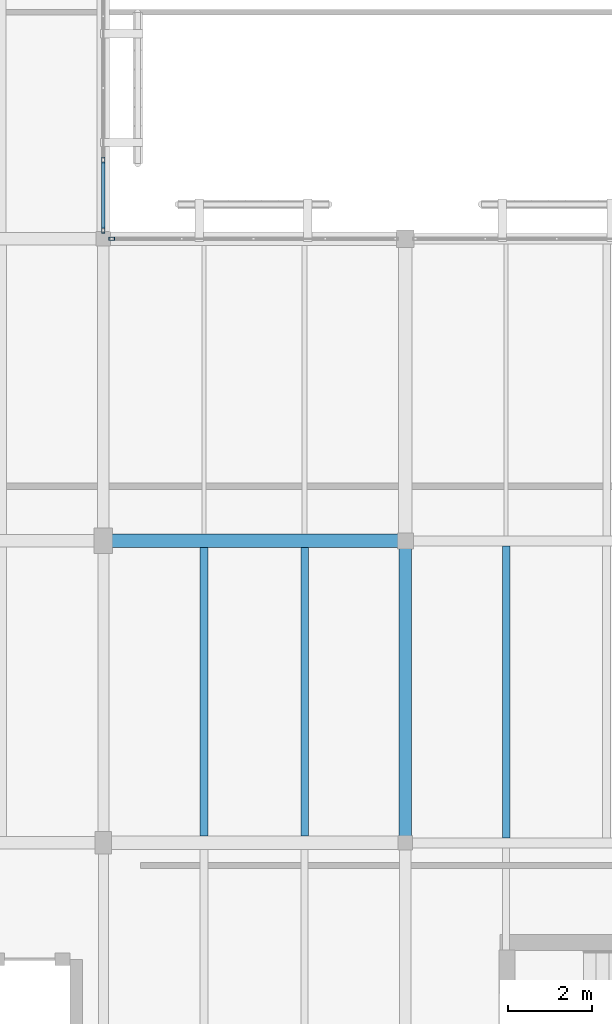
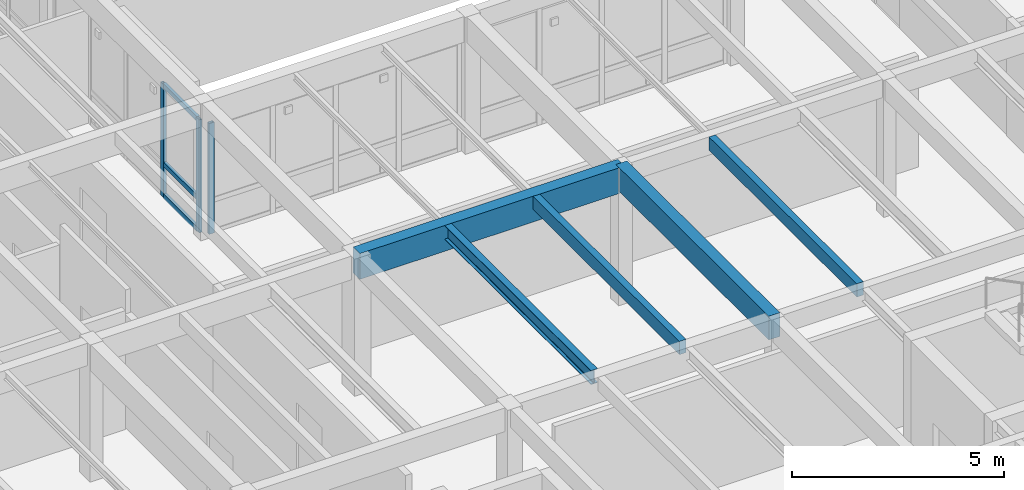
# One storey, part 10 of 61: 6 members, 5 beams, 2 elements without a shape of their own.
"""IFC4 building model written with IfcOpenShell, lengths in metres."""

from ifc_helpers import new_model, si_unit, direction, frame, origin, origin_2d, place, context, subcontext, project, spatial, rectangle, hollow_rectangle, i_section, extrude, material, layer, layer_set, material_profile, profile_set, type_object, element, aggregate, save


model = new_model("IFC4")

# Units and contexts
model_context = context("Model", 3, precision=1e-05, world=origin(), true_north=direction((0.0, 1.0)))
body_context = subcontext(model_context, "Body", "Model", "MODEL_VIEW")
ifc_project = project(units=[si_unit("LENGTHUNIT", "METRE"), si_unit("AREAUNIT", "SQUARE_METRE"), si_unit("VOLUMEUNIT", "CUBIC_METRE"), si_unit("PLANEANGLEUNIT", "RADIAN"), si_unit("MASSUNIT", "GRAM", prefix="KILO")], contexts=[model_context])

# Site, building, storey
site_placement = place(None, origin())
site = spatial("IfcSite", under=ifc_project, at=site_placement, CompositionType="ELEMENT")
building_placement = place(site_placement, origin())
building = spatial("IfcBuilding", under=site, at=building_placement, Name="Mazaris Harbour Polytechnic", CompositionType="ELEMENT")
storey_placement = place(building_placement, frame((0.0, 0.0, 18.0)))
storey = spatial("IfcBuildingStorey", under=building, at=storey_placement, Name="L04", CompositionType="ELEMENT", Elevation=18.0)

# Curtain wall, member
ifc_material_1 = material(Name="Anodised Bronze Aluminium and Low-E Glass", Category="aluminium")
ifc_layer = layer(ifc_material_1, 0.159912109375, Name="Anodised Bronze Aluminium and Low-E Glass")
ifc_layer_set = layer_set([ifc_layer], Name="Anodised Bronze Aluminium and Low-E Glass")
curtain_wall_type = type_object("IfcCurtainWallType", Name="Cloister Court Curtain Wall", PredefinedType="NOTDEFINED", material=ifc_layer_set)
curtain_wall_1_placement = place(storey_placement, origin())
curtain_wall_1 = element("IfcCurtainWall", 1, at=curtain_wall_1_placement, inside=storey, type_object=curtain_wall_type, Name="V4 L04 Curtain Wall 167", PredefinedType="NOTDEFINED")
ifc_material_2 = material(Name="Anodised Bronze Steel S355", Category="steel")
ifc_material_profile_1 = material_profile(ifc_material_2, hollow_rectangle(XDim=0.080078125, YDim=0.139892578125, WallThickness=0.00634765625, at=origin_2d()), Name="RHS 80x140x6.3")
ifc_profile_set_1 = profile_set([ifc_material_profile_1], Name="Anodised Bronze Steel S355")
member_type_1 = type_object("IfcMemberType", Name="Curtain Mullion RHS80x140", PredefinedType="MULLION", material=ifc_profile_set_1)
member_1_placement = place(storey_placement, frame((14.60205078125, 36.0, 0.0), z_axis=(0.0, 0.0, 1.0), x_axis=(0.0, 1.0, 0.0)))
member_1 = element("IfcMember", 2, at=member_1_placement, type_object=member_type_1, Name="CW-02 mullion 1", PredefinedType="MULLION", context=body_context, shape_type="SweptSolid", body=[
    extrude(hollow_rectangle(XDim=0.080078125, YDim=0.139892578125, WallThickness=0.00634765625, at=origin_2d()), origin(), (0.0, 0.0, 1.0), 3.18505859375),
])
aggregate(curtain_wall_1, [member_1])

# Curtain wall, members
curtain_wall_2_placement = place(storey_placement, origin())
curtain_wall_2 = element("IfcCurtainWall", 3, at=curtain_wall_2_placement, inside=storey, type_object=curtain_wall_type, Name="V4 L04 Curtain Wall 171", PredefinedType="NOTDEFINED")
member_2_placement = place(storey_placement, frame((14.39990234375, 36.201904296875, 0.0), z_axis=(0.0, 0.0, 1.0), x_axis=(-1.0, 0.0, 0.0)))
member_2 = element("IfcMember", 4, at=member_2_placement, type_object=member_type_1, Name="CW-02 mullion 1", PredefinedType="MULLION", context=body_context, shape_type="SweptSolid", body=[
    extrude(hollow_rectangle(XDim=0.080078125, YDim=0.139892578125, WallThickness=0.00634765625, at=origin_2d()), origin(), (0.0, 0.0, 1.0), 3.2451171875),
])
member_3_placement = place(storey_placement, frame((14.39990234375, 37.8759765625, 0.0), z_axis=(0.0, 0.0, 1.0), x_axis=(-1.0, 0.0, 0.0)))
member_3 = element("IfcMember", 5, at=member_3_placement, type_object=member_type_1, Name="CW-02 mullion 2", PredefinedType="MULLION", context=body_context, shape_type="SweptSolid", body=[
    extrude(hollow_rectangle(XDim=0.080078125, YDim=0.139892578125, WallThickness=0.00634765625, at=origin_2d()), origin(), (0.0, 0.0, 1.0), 3.2451171875),
])
ifc_material_3 = material(Name="Anodised Bronze Steel S355", Category="steel")
ifc_material_profile_2 = material_profile(ifc_material_3, hollow_rectangle(XDim=0.080078125, YDim=0.139892578125, WallThickness=0.00634765625, at=origin_2d()), Name="RHS 80x140x6.3")
ifc_profile_set_2 = profile_set([ifc_material_profile_2], Name="Anodised Bronze Steel S355")
member_type_2 = type_object("IfcMemberType", Name="Curtain Transom RHS80x140", PredefinedType="USERDEFINED", material=ifc_profile_set_2)
member_4_placement = place(storey_placement, frame((14.39990234375, 36.241943359375, 0.0400390625), z_axis=(0.0, 1.0, 0.0), x_axis=(-1.0, 0.0, 0.0)))
member_4 = element("IfcMember", 6, at=member_4_placement, type_object=member_type_2, Name="CW-02 transom 1.1", ObjectType="TRANSOM", PredefinedType="USERDEFINED", context=body_context, shape_type="SweptSolid", body=[
    extrude(hollow_rectangle(XDim=0.080078125, YDim=0.139892578125, WallThickness=0.00634765625, at=origin_2d()), origin(), (0.0, 0.0, 1.0), 1.593994140625),
])
member_5_placement = place(storey_placement, frame((14.39990234375, 36.241943359375, 0.949951171875), z_axis=(0.0, 1.0, 0.0), x_axis=(-1.0, 0.0, 0.0)))
member_5 = element("IfcMember", 7, at=member_5_placement, type_object=member_type_2, Name="CW-02 transom 1.2", ObjectType="TRANSOM", PredefinedType="USERDEFINED", context=body_context, shape_type="SweptSolid", body=[
    extrude(hollow_rectangle(XDim=0.080078125, YDim=0.139892578125, WallThickness=0.00634765625, at=origin_2d()), origin(), (0.0, 0.0, 1.0), 1.593994140625),
])
member_6_placement = place(storey_placement, frame((14.39990234375, 36.241943359375, 3.205078125), z_axis=(0.0, 1.0, 0.0), x_axis=(-1.0, 0.0, 0.0)))
member_6 = element("IfcMember", 8, at=member_6_placement, type_object=member_type_2, Name="CW-02 transom 1.3", ObjectType="TRANSOM", PredefinedType="USERDEFINED", context=body_context, shape_type="SweptSolid", body=[
    extrude(hollow_rectangle(XDim=0.080078125, YDim=0.139892578125, WallThickness=0.00634765625, at=origin_2d()), origin(), (0.0, 0.0, 1.0), 1.593994140625),
])
aggregate(curtain_wall_2, [member_2, member_3, member_4, member_5, member_6])

# Beams
ifc_material_4 = material(Name="Glulam GL32h", Category="wood")
ifc_material_profile_3 = material_profile(ifc_material_4, rectangle(XDim=0.300048828125, YDim=0.679931640625, at=origin_2d()), Name="RECT300x680")
ifc_profile_set_3 = profile_set([ifc_material_profile_3], Name="Glulam GL32h")
beam_type_1 = type_object("IfcBeamType", Name="Glulam Girder 300x680", PredefinedType="BEAM", material=ifc_profile_set_3)
beam_1_placement = place(storey_placement, frame((21.60009765625, 21.60009765625, 3.594970703125), z_axis=(0.0, 1.0, 0.0), x_axis=(-1.0, 0.0, 0.0)))
element("IfcBeam", 9, at=beam_1_placement, inside=storey, type_object=beam_type_1, Name="V4 L04 Tie Girder 2418", PredefinedType="BEAM", context=body_context, shape_type="SweptSolid", body=[
    extrude(rectangle(XDim=0.300048828125, YDim=0.679931640625, at=origin_2d()), origin(), (0.0, 0.0, 1.0), 7.199951171875),
])
ifc_material_5 = material(Name="Glulam GL32h", Category="wood")
ifc_material_profile_4 = material_profile(ifc_material_5, rectangle(XDim=0.320068359375, YDim=0.739990234375, at=origin_2d()), Name="RECT320x740")
ifc_profile_set_4 = profile_set([ifc_material_profile_4], Name="Glulam GL32h")
beam_type_2 = type_object("IfcBeamType", Name="Glulam Girder 320x740", PredefinedType="BEAM", material=ifc_profile_set_4)
beam_2_placement = place(storey_placement, frame((14.39990234375, 28.800048828125, 3.56494140625), z_axis=(1.0, 0.0, 0.0), x_axis=(0.0, 1.0, 0.0)))
element("IfcBeam", 10, at=beam_2_placement, inside=storey, type_object=beam_type_2, Name="V4 L04 Girder 2379", PredefinedType="BEAM", context=body_context, shape_type="SweptSolid", body=[
    extrude(rectangle(XDim=0.320068359375, YDim=0.739990234375, at=origin_2d()), origin(), (0.0, 0.0, 1.0), 7.2001953125),
])
ifc_material_6 = material(Name="Glulam GL28h", Category="wood")
ifc_material_profile_5 = material_profile(ifc_material_6, rectangle(XDim=0.179931640625, YDim=0.3798828125, at=origin_2d()), Name="RECT180x380")
ifc_profile_set_5 = profile_set([ifc_material_profile_5], Name="Glulam GL28h")
beam_type_3 = type_object("IfcBeamType", Name="Glulam Joist 180x380", PredefinedType="JOIST", material=ifc_profile_set_5)
beam_3_placement = place(storey_placement, frame((19.199951171875, 21.760009765625, 3.7451171875), z_axis=(0.0, 1.0, 0.0), x_axis=(-1.0, 0.0, 0.0)))
element("IfcBeam", 11, at=beam_3_placement, inside=storey, type_object=beam_type_3, Name="V4 L04 Floor Joist 2463", PredefinedType="JOIST", context=body_context, shape_type="SweptSolid", body=[
    extrude(rectangle(XDim=0.179931640625, YDim=0.3798828125, at=origin_2d()), origin(), (0.0, 0.0, 1.0), 6.8798828125),
])
beam_4_placement = place(storey_placement, frame((24.0, 21.719970703125, 3.7451171875), z_axis=(0.0, 1.0, 0.0), x_axis=(-1.0, 0.0, 0.0)))
element("IfcBeam", 12, at=beam_4_placement, inside=storey, type_object=beam_type_3, Name="V4 L04 Floor Joist 2469", PredefinedType="JOIST", context=body_context, shape_type="SweptSolid", body=[
    extrude(rectangle(XDim=0.179931640625, YDim=0.3798828125, at=origin_2d()), origin(), (0.0, 0.0, 1.0), 6.9599609375),
])
ifc_material_7 = material(Name="Steel S355", Category="steel")
ifc_material_profile_6 = material_profile(ifc_material_7, i_section(OverallWidth=0.179931640625, OverallDepth=0.39990234375, WebThickness=0.008544921875, FlangeThickness=0.013427734375, FilletRadius=0.02099609375, at=origin_2d()), Name="IPE 400")
ifc_profile_set_6 = profile_set([ifc_material_profile_6], Name="Steel S355")
beam_type_4 = type_object("IfcBeamType", Name="Steel Joist IPE400", PredefinedType="JOIST", material=ifc_profile_set_6)
beam_5_placement = place(storey_placement, frame((16.800048828125, 21.760009765625, 3.735107421875), z_axis=(0.0, 1.0, 0.0), x_axis=(-1.0, 0.0, 0.0)))
element("IfcBeam", 13, at=beam_5_placement, inside=storey, type_object=beam_type_4, Name="V4 L04 Floor Joist 2462", PredefinedType="JOIST", context=body_context, shape_type="SweptSolid", body=[
    extrude(i_section(OverallWidth=0.179931640625, OverallDepth=0.39990234375, WebThickness=0.008544921875, FlangeThickness=0.013427734375, FilletRadius=0.02099609375, at=origin_2d()), origin(), (0.0, 0.0, 1.0), 6.8798828125),
])

save(model, "model.ifc")
